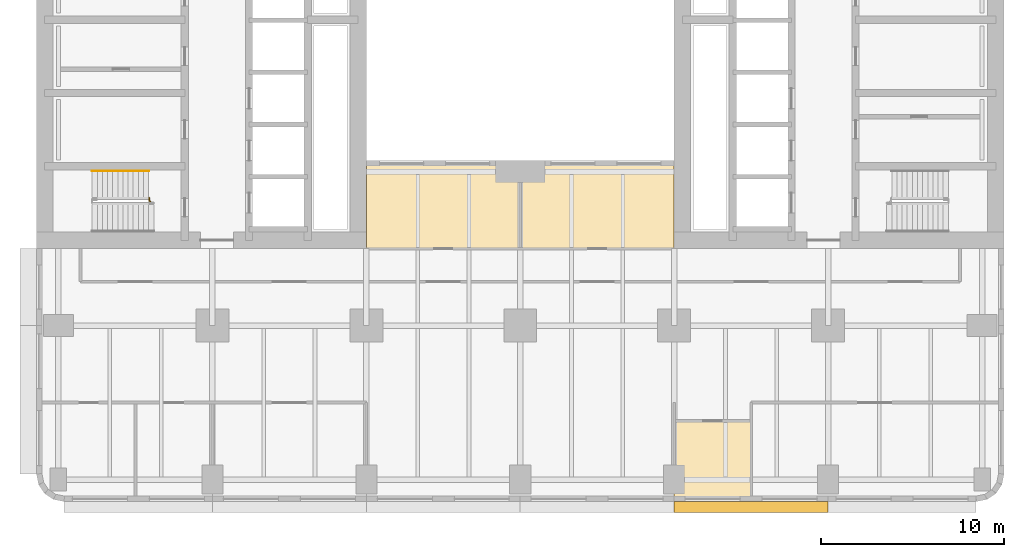
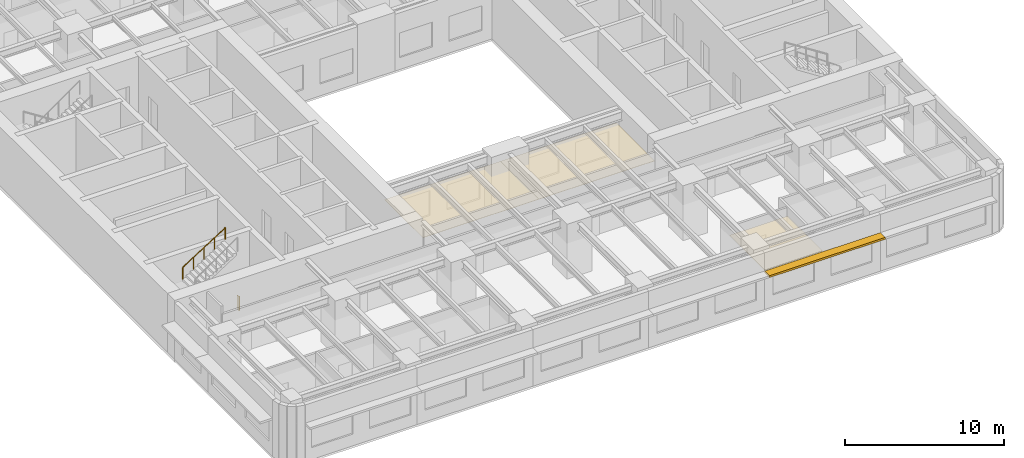
# One storey, part 10 of 14: 3 coverings, 2 railings, 1 shading device.
"""IFC4 building model written with IfcOpenShell, lengths in metres."""

from ifc_helpers import new_model, si_unit, direction, frame, origin, origin_2d, place, context, subcontext, project, spatial, polyline, rectangle, circle, outline, extrude, material, layer, layer_set, type_object, element, save


model = new_model("IFC4")

# Units and contexts
model_context = context("Model", 3, precision=1e-05, world=origin(), true_north=direction((0.0, 1.0)))
body_context = subcontext(model_context, "Body", "Model", "MODEL_VIEW")
ifc_project = project(units=[si_unit("LENGTHUNIT", "METRE"), si_unit("AREAUNIT", "SQUARE_METRE"), si_unit("VOLUMEUNIT", "CUBIC_METRE"), si_unit("PLANEANGLEUNIT", "RADIAN"), si_unit("MASSUNIT", "GRAM", prefix="KILO")], contexts=[model_context])

# Site, building, storey
site_placement = place(None, origin())
site = spatial("IfcSite", under=ifc_project, at=site_placement, CompositionType="ELEMENT")
building_placement = place(site_placement, origin())
building = spatial("IfcBuilding", under=site, at=building_placement, Name="Claustro Exchange Tower", CompositionType="ELEMENT")
storey_placement = place(building_placement, frame((0.0, 0.0, 23.39990234375)))
storey = spatial("IfcBuildingStorey", under=building, at=storey_placement, Name="L05", CompositionType="ELEMENT", Elevation=23.39990234375)

# Coverings
ifc_material_1 = material(Name="Gypsum board ceiling", Category="gypsum board")
ifc_layer_1 = layer(ifc_material_1, 0.02490234375)
ifc_layer_set_1 = layer_set([ifc_layer_1], Name="Gypsum board ceiling")
covering_type = type_object("IfcCoveringType", Name="CL2 plasterboard ceiling", PredefinedType="CEILING", material=ifc_layer_set_1)
covering_1_placement = place(storey_placement, frame((0.0, 0.0, 3.0)))
element("IfcCovering", 1, at=covering_1_placement, inside=storey, type_object=covering_type, Name="Ceiling CL2 L05-01", PredefinedType="CEILING", context=body_context, shape_type="SweptSolid", body=[
    extrude(outline(polyline([(33.60009765625, -1.199951171875), (37.800048828125, -1.199951171875), (37.800048828125, 3.199951171875), (33.60009765625, 3.199951171875), (33.60009765625, -1.199951171875)])), origin(), (0.0, 0.0, 1.0), 0.025146484375),
])
covering_2_placement = place(storey_placement, frame((0.0, 0.0, 3.0)))
element("IfcCovering", 2, at=covering_2_placement, inside=storey, type_object=covering_type, Name="Ceiling CL2 L05-08", PredefinedType="CEILING", context=body_context, shape_type="SweptSolid", body=[
    extrude(outline(polyline([(16.800048828125, 17.39990234375), (16.800048828125, 12.60009765625), (25.199951171875, 12.60009765625), (25.199951171875, 17.39990234375), (16.800048828125, 17.39990234375)])), origin(), (0.0, 0.0, 1.0), 0.025146484375),
])
covering_3_placement = place(storey_placement, frame((0.0, 0.0, 3.0)))
element("IfcCovering", 3, at=covering_3_placement, inside=storey, type_object=covering_type, Name="Ceiling CL2 L05-09", PredefinedType="CEILING", context=body_context, shape_type="SweptSolid", body=[
    extrude(outline(polyline([(33.60009765625, 17.39990234375), (25.199951171875, 17.39990234375), (25.199951171875, 12.60009765625), (33.60009765625, 12.60009765625), (33.60009765625, 17.39990234375)])), origin(), (0.0, 0.0, 1.0), 0.025146484375),
])

# Railings
ifc_material_2 = material(Name="Steel balustrade, painted", Category="steel")
railing_type_1 = type_object("IfcRailingType", Name="GR2 1100 steel stair guard", PredefinedType="GUARDRAIL", material=ifc_material_2)
railing_1_placement = place(storey_placement, frame((5.0, 15.169921875, 0.0)))
element("IfcRailing", 4, at=railing_1_placement, inside=storey, type_object=railing_type_1, Name="Stair guard GR2 STWA L05", PredefinedType="GUARDRAIL", context=body_context, shape_type="SweptSolid", body=[
    extrude(circle(Radius=0.02392578125, at=origin_2d()), frame((0.0, 0.0, 1.076171875), z_axis=(0.0, 1.0, 0.0), x_axis=(-1.0, 0.0, 0.0)), (0.0, 0.0, 1.0), 0.030029296875),
    extrude(circle(Radius=0.02392578125, at=origin_2d()), frame((0.0, 0.030029296875, 1.076171875), z_axis=(-1.0, 0.0, 0.0), x_axis=(0.0, -1.0, 0.0)), (0.0, 0.0, 1.0), 0.054931640625),
    extrude(circle(Radius=0.02392578125, at=origin_2d()), frame((-0.054931640625, 0.030029296875, 1.076171875), z_axis=(0.0, 1.0, 0.0), x_axis=(-1.0, 0.0, 0.0)), (0.0, 0.0, 1.0), 0.179931640625),
    extrude(circle(Radius=0.02099609375, at=origin_2d()), origin(), (0.0, 0.0, 1.0), 1.052001953125),
    extrude(circle(Radius=0.02099609375, at=origin_2d()), frame((0.0, 0.030029296875, 0.0)), (0.0, 0.0, 1.0), 1.052001953125),
    extrude(circle(Radius=0.02099609375, at=origin_2d()), frame((-0.054931640625, 0.030029296875, 0.0)), (0.0, 0.0, 1.0), 1.052001953125),
    extrude(circle(Radius=0.02099609375, at=origin_2d()), frame((-0.054931640625, 0.2099609375, 0.0)), (0.0, 0.0, 1.0), 1.052001953125),
])
ifc_material_3 = material(Name="Stainless steel tube", Category="steel")
railing_type_2 = type_object("IfcRailingType", Name="HR1 900 stair handrail", PredefinedType="HANDRAIL", material=ifc_material_3)
railing_2_placement = place(storey_placement, frame((1.840087890625, 16.840087890625, 2.52001953125)))
element("IfcRailing", 5, at=railing_2_placement, inside=storey, type_object=railing_type_2, Name="Handrail HR1 stair STWA L05", PredefinedType="HANDRAIL", context=body_context, shape_type="SweptSolid", body=[
    extrude(circle(Radius=0.02392578125, at=origin_2d()), frame((0.0, 0.0, 0.8759765625), z_axis=(0.841167642724, 0.0, 0.540774441735), x_axis=(0.0, 1.0, 0.0)), (0.0, 0.0, 1.0), 3.661376953125),
    extrude(circle(Radius=0.02099609375, at=origin_2d()), origin(), (0.0, 0.0, 1.0), 0.851806640625),
    extrude(circle(Radius=0.02099609375, at=origin_2d()), frame((0.77001953125, 0.0, 0.4951171875)), (0.0, 0.0, 1.0), 0.851806640625),
    extrude(circle(Radius=0.02099609375, at=origin_2d()), frame((1.5400390625, 0.0, 0.989990234375)), (0.0, 0.0, 1.0), 0.851806640625),
    extrude(circle(Radius=0.02099609375, at=origin_2d()), frame((2.309814453125, 0.0, 1.48486328125)), (0.0, 0.0, 1.0), 0.851806640625),
    extrude(circle(Radius=0.02099609375, at=origin_2d()), frame((3.079833984375, 0.0, 1.97998046875)), (0.0, 0.0, 1.0), 0.851806640625),
])

# Shading device
ifc_material_4 = material(Name="Concrete HA-40 (C40/50), precast, white cement, acid-etched", Category="concrete")
ifc_layer_2 = layer(ifc_material_4, 0.14990234375)
ifc_layer_set_2 = layer_set([ifc_layer_2], Name="Concrete HA-40 (C40/50), precast, white cement, acid-etched")
shading_device_type = type_object("IfcShadingDeviceType", Name="SS1 600 precast concrete SUNSHADE", PredefinedType="SHUTTER", material=ifc_layer_set_2)
shading_device_placement = place(storey_placement, frame((37.800048828125, -1.5, 2.800048828125), z_axis=(0.0, 0.0, 1.0), x_axis=(-1.0, 0.0, 0.0)))
element("IfcShadingDevice", 6, at=shading_device_placement, inside=storey, type_object=shading_device_type, Name="Precast SUNSHADE SS1 L05", PredefinedType="SHUTTER", context=body_context, shape_type="SweptSolid", body=[
    extrude(rectangle(XDim=8.39990234375, YDim=0.60009765625, at=origin_2d()), origin(), (0.0, 0.0, 1.0), 0.14990234375),
])

save(model, "model.ifc")
